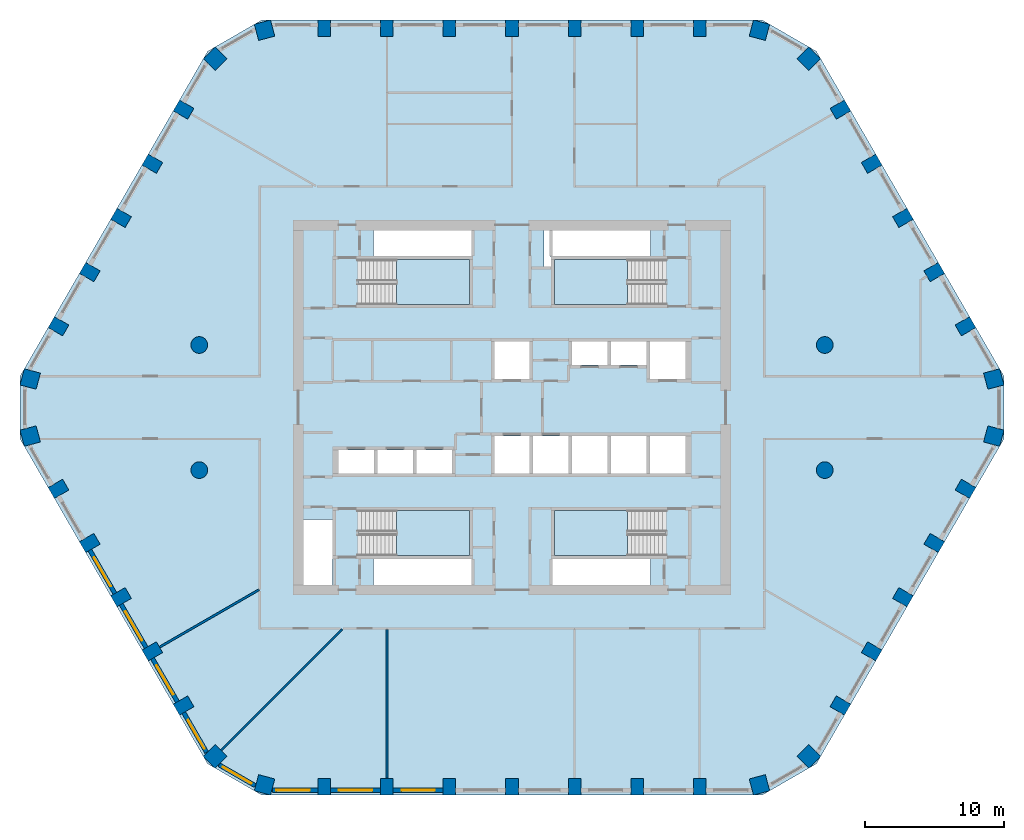
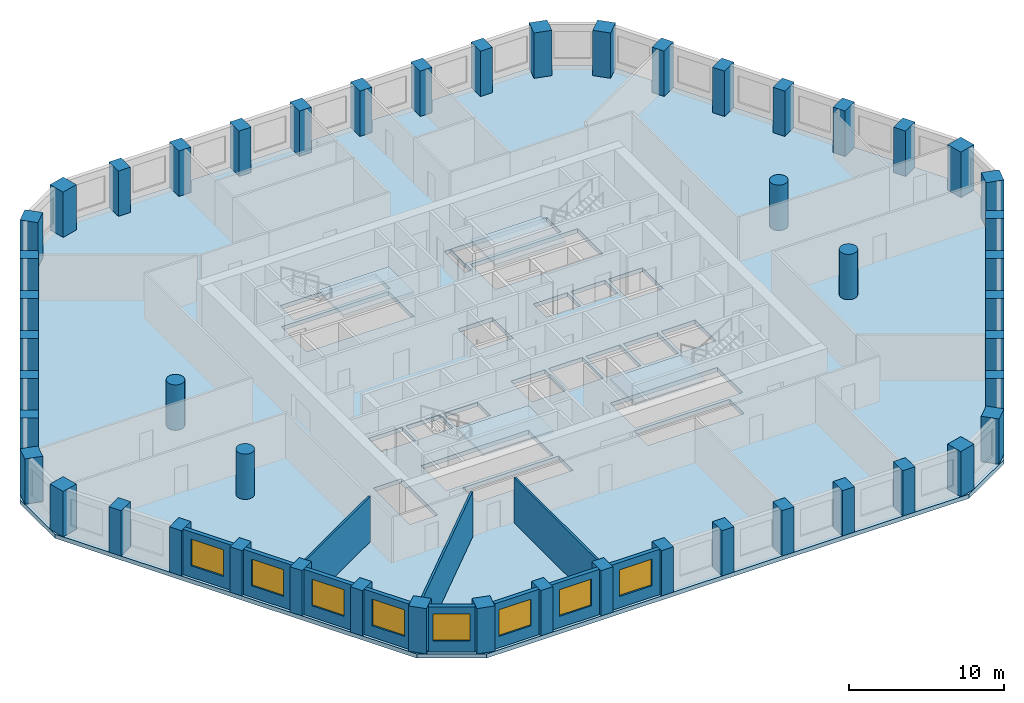
# One storey, part 1 of 9: 50 columns, 11 walls, 8 windows, 5 slabs, 8 openings, 4 elements without a shape of their own.
"""IFC4 building model written with IfcOpenShell, lengths in metres."""

from ifc_helpers import new_model, si_unit, direction, frame, frame_2d, origin, origin_2d, place, context, subcontext, project, spatial, polyline, rectangle, circle, outline, extrude, material, layer, layer_set, material_profile, profile_set, type_object, element, fill, aggregate, save


model = new_model("IFC4")

# Units and contexts
model_context = context("Model", 3, precision=1e-05, world=origin(), true_north=direction((0.0, 1.0)))
body_context = subcontext(model_context, "Body", "Model", "MODEL_VIEW")
ifc_project = project(units=[si_unit("LENGTHUNIT", "METRE"), si_unit("AREAUNIT", "SQUARE_METRE"), si_unit("VOLUMEUNIT", "CUBIC_METRE"), si_unit("PLANEANGLEUNIT", "RADIAN"), si_unit("MASSUNIT", "GRAM", prefix="KILO")], contexts=[model_context])

# Site, building, storey
site_placement = place(None, origin())
site = spatial("IfcSite", under=ifc_project, at=site_placement, CompositionType="ELEMENT")
building_placement = place(site_placement, origin())
building = spatial("IfcBuilding", under=site, at=building_placement, Name="Dhurran Vertical Campus", CompositionType="ELEMENT")
storey_placement = place(building_placement, frame((0.0, 0.0, 163.800048828125)))
storey = spatial("IfcBuildingStorey", under=building, at=storey_placement, Name="L40", CompositionType="ELEMENT", Elevation=163.800048828125)

# Columns
ifc_material_1 = material(Name="Concrete C60/75", Category="concrete")
ifc_material_profile_1 = material_profile(ifc_material_1, rectangle(XDim=1.199951171875, YDim=1.199951171875, at=origin_2d()), Name="RC 1200x1200")
ifc_profile_set_1 = profile_set([ifc_material_profile_1], Name="Concrete C60/75")
column_type_1 = type_object("IfcColumnType", Name="FR COL RC 1200x1200 C60/75", PredefinedType="COLUMN", material=ifc_profile_set_1)
for number, where, z_axis, x_axis, name in (
    (1, (-17.802978515625, -27.147705078125, 0.0), (0.0, 0.0, 1.0), (0.965925826289, -0.258819045103, 0.0), "Perimeter pier PP3.00"),
    (2, (17.802978515625, -27.147705078125, 0.0), (0.0, 0.0, 1.0), (0.965925826289, 0.258819045103, 0.0), "Perimeter pier PP3.08"),
    (3, (21.359130859375, -25.0947265625, 0.0), (0.0, 0.0, 1.0), (0.707106781187, 0.707106781187, 0.0), "Perimeter pier PP3.09"),
    (4, (34.662353515625, -2.052978515625, 0.0), (0.0, 0.0, 1.0), (0.258819045103, 0.965925826289, 0.0), "Perimeter pier PP3.15"),
    (5, (34.662353515625, 2.052978515625, 0.0), (0.0, 0.0, 1.0), (-0.258819045103, 0.965925826289, 0.0), "Perimeter pier PP3.16"),
    (6, (21.359130859375, 25.0947265625, 0.0), (0.0, 0.0, 1.0), (-0.707106781187, 0.707106781187, 0.0), "Perimeter pier PP3.22"),
    (7, (17.802978515625, 27.147705078125, 0.0), (0.0, 0.0, 1.0), (-0.965925826289, 0.258819045103, 0.0), "Perimeter pier PP3.23"),
    (8, (-17.802978515625, 27.147705078125, 0.0), (0.0, 0.0, 1.0), (-0.965925826289, -0.258819045103, 0.0), "Perimeter pier PP3.31"),
    (9, (-21.359130859375, 25.0947265625, 0.0), (0.0, 0.0, 1.0), (-0.707106781187, -0.707106781187, 0.0), "Perimeter pier PP3.32"),
    (10, (-34.662353515625, 2.052978515625, 0.0), (0.0, 0.0, 1.0), (-0.258819045103, -0.965925826289, 0.0), "Perimeter pier PP3.38"),
    (11, (-34.662353515625, -2.052978515625, 0.0), (0.0, 0.0, 1.0), (0.258819045103, -0.965925826289, 0.0), "Perimeter pier PP3.39"),
    (12, (-21.359130859375, -25.0947265625, 0.0), (0.0, 0.0, 1.0), (0.707106781187, -0.707106781187, 0.0), "Perimeter pier PP3.45"),
):
    element("IfcColumn", number, at=place(storey_placement, frame(where, z_axis=z_axis, x_axis=x_axis)), inside=storey, type_object=column_type_1, Name=name, PredefinedType="COLUMN", context=body_context, shape_type="SweptSolid", body=[
        extrude(rectangle(XDim=1.199951171875, YDim=1.199951171875, at=origin_2d()), origin(), (0.0, 0.0, 1.0), 3.574951171875),
    ])
ifc_material_2 = material(Name="Concrete C60/75", Category="concrete")
ifc_material_profile_2 = material_profile(ifc_material_2, rectangle(XDim=0.89990234375, YDim=1.199951171875, at=origin_2d()), Name="RC 900x1200")
ifc_profile_set_2 = profile_set([ifc_material_profile_2], Name="Concrete C60/75")
column_type_2 = type_object("IfcColumnType", Name="FR COL RC 900x1200 C60/75", PredefinedType="COLUMN", material=ifc_profile_set_2)
for number, where, z_axis, x_axis, name in (
    (13, (-13.5, -27.28271484375, 0.0), (0.0, 0.0, 1.0), (1.0, 0.0, 0.0), "Perimeter pier PP3.01"),
    (14, (-9.0, -27.28271484375, 0.0), (0.0, 0.0, 1.0), (1.0, 0.0, 0.0), "Perimeter pier PP3.02"),
    (15, (-4.5, -27.28271484375, 0.0), (0.0, 0.0, 1.0), (1.0, 0.0, 0.0), "Perimeter pier PP3.03"),
    (16, (0.0, -27.28271484375, 0.0), (0.0, 0.0, 1.0), (1.0, 0.0, 0.0), "Perimeter pier PP3.04"),
    (17, (4.5, -27.28271484375, 0.0), (0.0, 0.0, 1.0), (1.0, 0.0, 0.0), "Perimeter pier PP3.05"),
    (18, (9.0, -27.28271484375, 0.0), (0.0, 0.0, 1.0), (1.0, 0.0, 0.0), "Perimeter pier PP3.06"),
    (19, (13.5, -27.28271484375, 0.0), (0.0, 0.0, 1.0), (1.0, 0.0, 0.0), "Perimeter pier PP3.07"),
    (20, (23.62744140625, -21.435546875, 0.0), (0.0, 0.0, 1.0), (0.5, 0.866025403784, 0.0), "Perimeter pier PP3.10"),
    (21, (25.87744140625, -17.53857421875, 0.0), (0.0, 0.0, 1.0), (0.5, 0.866025403784, 0.0), "Perimeter pier PP3.11"),
    (22, (28.12744140625, -13.641357421875, 0.0), (0.0, 0.0, 1.0), (0.5, 0.866025403784, 0.0), "Perimeter pier PP3.12"),
    (23, (30.37744140625, -9.744140625, 0.0), (0.0, 0.0, 1.0), (0.5, 0.866025403784, 0.0), "Perimeter pier PP3.13"),
    (24, (32.62744140625, -5.84716796875, 0.0), (0.0, 0.0, 1.0), (0.5, 0.866025403784, 0.0), "Perimeter pier PP3.14"),
    (25, (32.62744140625, 5.84716796875, 0.0), (0.0, 0.0, 1.0), (-0.5, 0.866025403784, 0.0), "Perimeter pier PP3.17"),
    (26, (30.37744140625, 9.744140625, 0.0), (0.0, 0.0, 1.0), (-0.5, 0.866025403784, 0.0), "Perimeter pier PP3.18"),
    (27, (28.12744140625, 13.641357421875, 0.0), (0.0, 0.0, 1.0), (-0.5, 0.866025403784, 0.0), "Perimeter pier PP3.19"),
    (28, (25.87744140625, 17.53857421875, 0.0), (0.0, 0.0, 1.0), (-0.5, 0.866025403784, 0.0), "Perimeter pier PP3.20"),
    (29, (23.62744140625, 21.435546875, 0.0), (0.0, 0.0, 1.0), (-0.5, 0.866025403784, 0.0), "Perimeter pier PP3.21"),
    (30, (13.5, 27.28271484375, 0.0), (0.0, 0.0, 1.0), (-1.0, 0.0, 0.0), "Perimeter pier PP3.24"),
    (31, (9.0, 27.28271484375, 0.0), (0.0, 0.0, 1.0), (-1.0, 0.0, 0.0), "Perimeter pier PP3.25"),
    (32, (4.5, 27.28271484375, 0.0), (0.0, 0.0, 1.0), (-1.0, 0.0, 0.0), "Perimeter pier PP3.26"),
    (33, (0.0, 27.28271484375, 0.0), (0.0, 0.0, 1.0), (-1.0, 0.0, 0.0), "Perimeter pier PP3.27"),
    (34, (-4.5, 27.28271484375, 0.0), (0.0, 0.0, 1.0), (-1.0, 0.0, 0.0), "Perimeter pier PP3.28"),
    (35, (-9.0, 27.28271484375, 0.0), (0.0, 0.0, 1.0), (-1.0, 0.0, 0.0), "Perimeter pier PP3.29"),
    (36, (-13.5, 27.28271484375, 0.0), (0.0, 0.0, 1.0), (-1.0, 0.0, 0.0), "Perimeter pier PP3.30"),
    (37, (-23.62744140625, 21.435546875, 0.0), (0.0, 0.0, 1.0), (-0.5, -0.866025403784, 0.0), "Perimeter pier PP3.33"),
    (38, (-25.87744140625, 17.53857421875, 0.0), (0.0, 0.0, 1.0), (-0.5, -0.866025403784, 0.0), "Perimeter pier PP3.34"),
    (39, (-28.12744140625, 13.641357421875, 0.0), (0.0, 0.0, 1.0), (-0.5, -0.866025403784, 0.0), "Perimeter pier PP3.35"),
    (40, (-30.37744140625, 9.744140625, 0.0), (0.0, 0.0, 1.0), (-0.5, -0.866025403784, 0.0), "Perimeter pier PP3.36"),
    (41, (-32.62744140625, 5.84716796875, 0.0), (0.0, 0.0, 1.0), (-0.5, -0.866025403784, 0.0), "Perimeter pier PP3.37"),
    (42, (-32.62744140625, -5.84716796875, 0.0), (0.0, 0.0, 1.0), (0.5, -0.866025403784, 0.0), "Perimeter pier PP3.40"),
    (43, (-30.37744140625, -9.744140625, 0.0), (0.0, 0.0, 1.0), (0.5, -0.866025403784, 0.0), "Perimeter pier PP3.41"),
    (44, (-28.12744140625, -13.641357421875, 0.0), (0.0, 0.0, 1.0), (0.5, -0.866025403784, 0.0), "Perimeter pier PP3.42"),
    (45, (-25.87744140625, -17.53857421875, 0.0), (0.0, 0.0, 1.0), (0.5, -0.866025403784, 0.0), "Perimeter pier PP3.43"),
    (46, (-23.62744140625, -21.435546875, 0.0), (0.0, 0.0, 1.0), (0.5, -0.866025403784, 0.0), "Perimeter pier PP3.44"),
):
    element("IfcColumn", number, at=place(storey_placement, frame(where, z_axis=z_axis, x_axis=x_axis)), inside=storey, type_object=column_type_2, Name=name, PredefinedType="COLUMN", context=body_context, shape_type="SweptSolid", body=[
        extrude(rectangle(XDim=0.89990234375, YDim=1.199951171875, at=origin_2d()), origin(), (0.0, 0.0, 1.0), 3.574951171875),
    ])
ifc_material_3 = material(Name="Concrete C60/75", Category="concrete")
ifc_material_profile_3 = material_profile(ifc_material_3, circle(Radius=0.60009765625, at=origin_2d()), Name="RCC D1200")
ifc_profile_set_3 = profile_set([ifc_material_profile_3], Name="Concrete C60/75")
column_type_3 = type_object("IfcColumnType", Name="FR COL RCC D1200 C60/75", PredefinedType="COLUMN", material=ifc_profile_set_3)
for number, where, z_axis, x_axis, name in (
    (47, (-22.5, -4.5, 0.0), (0.0, 0.0, 1.0), (1.0, 0.0, 0.0), "Inner column IC3-D5"),
    (48, (-22.5, 4.5, 0.0), (0.0, 0.0, 1.0), (1.0, 0.0, 0.0), "Inner column IC3-D6"),
    (49, (22.5, -4.5, 0.0), (0.0, 0.0, 1.0), (1.0, 0.0, 0.0), "Inner column IC3-J5"),
    (50, (22.5, 4.5, 0.0), (0.0, 0.0, 1.0), (1.0, 0.0, 0.0), "Inner column IC3-J6"),
):
    element("IfcColumn", number, at=place(storey_placement, frame(where, z_axis=z_axis, x_axis=x_axis)), inside=storey, type_object=column_type_3, Name=name, PredefinedType="COLUMN", context=body_context, shape_type="SweptSolid", body=[
        extrude(circle(Radius=0.60009765625, at=origin_2d()), origin(), (0.0, 0.0, 1.0), 3.574951171875),
    ])

# Slab
ifc_material_4 = material(Name="Concrete C40/50", Category="concrete")
ifc_layer_1 = layer(ifc_material_4, 0.324951171875)
ifc_layer_set_1 = layer_set([ifc_layer_1], Name="Concrete C40/50")
slab_type_1 = type_object("IfcSlabType", Name="FR POST-TENSIONED FLAT SLAB 325", PredefinedType="FLOOR", material=ifc_layer_set_1)
slab_1_placement = place(storey_placement, frame((0.0, 0.0, -0.324951171875)))
element("IfcSlab", 51, at=slab_1_placement, inside=storey, type_object=slab_type_1, Name="Floor slab L40", PredefinedType="FLOOR", context=body_context, shape_type="SweptSolid", body=[
    extrude(outline(polyline([(-18.0, -27.8828125), (18.0, -27.8828125), (21.897216796875, -25.6328125), (35.397216796875, -2.25), (35.397216796875, 2.25), (21.897216796875, 25.6328125), (18.0, 27.8828125), (-18.0, 27.8828125), (-21.897216796875, 25.6328125), (-35.397216796875, 2.25), (-35.397216796875, -2.25), (-21.897216796875, -25.6328125), (-18.0, -27.8828125)]), holes=[polyline([(-1.27490234375, 2.050048828125), (1.27490234375, 2.050048828125), (1.27490234375, 4.75), (-1.27490234375, 4.75), (-1.27490234375, 2.050048828125)]), polyline([(9.925048828125, 2.050048828125), (12.47509765625, 2.050048828125), (12.47509765625, 4.75), (9.925048828125, 4.75), (9.925048828125, 2.050048828125)]), polyline([(-1.27490234375, -4.75), (1.27490234375, -4.75), (1.27490234375, -2.050048828125), (-1.27490234375, -2.050048828125), (-1.27490234375, -4.75)]), polyline([(1.52490234375, -4.75), (4.074951171875, -4.75), (4.074951171875, -2.050048828125), (1.52490234375, -2.050048828125), (1.52490234375, -4.75)]), polyline([(4.324951171875, -4.75), (6.875, -4.75), (6.875, -2.050048828125), (4.324951171875, -2.050048828125), (4.324951171875, -4.75)]), polyline([(7.125, -4.75), (9.675048828125, -4.75), (9.675048828125, -2.050048828125), (7.125, -2.050048828125), (7.125, -4.75)]), polyline([(9.925048828125, -4.75), (12.47509765625, -4.75), (12.47509765625, -2.050048828125), (9.925048828125, -2.050048828125), (9.925048828125, -4.75)]), polyline([(4.324951171875, 3.050048828125), (6.875, 3.050048828125), (6.875, 4.75), (4.324951171875, 4.75), (4.324951171875, 3.050048828125)]), polyline([(7.125, 3.050048828125), (9.675048828125, 3.050048828125), (9.675048828125, 4.75), (7.125, 4.75), (7.125, 3.050048828125)]), polyline([(-12.47509765625, -4.75), (-9.925048828125, -4.75), (-9.925048828125, -3.050048828125), (-12.47509765625, -3.050048828125), (-12.47509765625, -4.75)]), polyline([(-9.675048828125, -4.75), (-7.125, -4.75), (-7.125, -3.050048828125), (-9.675048828125, -3.050048828125), (-9.675048828125, -4.75)]), polyline([(-6.875, -4.75), (-4.324951171875, -4.75), (-4.324951171875, -3.050048828125), (-6.875, -3.050048828125), (-6.875, -4.75)]), polyline([(-11.050048828125, 7.39990234375), (-3.050048828125, 7.39990234375), (-3.050048828125, 10.64990234375), (-11.050048828125, 10.64990234375), (-11.050048828125, 7.39990234375)]), polyline([(3.050048828125, 7.39990234375), (11.050048828125, 7.39990234375), (11.050048828125, 10.64990234375), (3.050048828125, 10.64990234375), (3.050048828125, 7.39990234375)]), polyline([(-11.050048828125, -10.64990234375), (-3.050048828125, -10.64990234375), (-3.050048828125, -7.39990234375), (-11.050048828125, -7.39990234375), (-11.050048828125, -10.64990234375)]), polyline([(3.050048828125, -10.64990234375), (11.050048828125, -10.64990234375), (11.050048828125, -7.39990234375), (3.050048828125, -7.39990234375), (3.050048828125, -10.64990234375)]), polyline([(-9.949951171875, 10.89990234375), (-9.949951171875, 12.75), (-2.800048828125, 12.75), (-2.800048828125, 10.89990234375), (-9.949951171875, 10.89990234375)]), polyline([(9.949951171875, 12.75), (9.949951171875, 10.89990234375), (2.800048828125, 10.89990234375), (2.800048828125, 12.75), (9.949951171875, 12.75)]), polyline([(-9.949951171875, -12.75), (-9.949951171875, -10.89990234375), (-2.800048828125, -10.89990234375), (-2.800048828125, -12.75), (-9.949951171875, -12.75)]), polyline([(9.949951171875, -10.89990234375), (9.949951171875, -12.75), (2.800048828125, -12.75), (2.800048828125, -10.89990234375), (9.949951171875, -10.89990234375)]), polyline([(2.300048828125, 10.050048828125), (2.300048828125, 12.75), (2.75, 12.75), (2.75, 10.85009765625), (2.800048828125, 10.85009765625), (2.800048828125, 10.050048828125), (2.300048828125, 10.050048828125)]), polyline([(-15.0, -8.050048828125), (-12.89990234375, -8.050048828125), (-12.89990234375, -12.75), (-15.0, -12.75), (-15.0, -8.050048828125)])]), origin(), (0.0, 0.0, 1.0), 0.324951171875),
])

# Stair, slab
ifc_material_5 = material(Name="Concrete C40/50", Category="concrete")
stair_type = type_object("IfcStairType", Name="co-ST-CORE", PredefinedType="HALF_TURN_STAIR", material=ifc_material_5)
stair_1_placement = place(storey_placement, origin())
stair_1 = element("IfcStair", 52, at=stair_1_placement, inside=storey, type_object=stair_type, Name="L40 Protected exit stair ST1", PredefinedType="HALF_TURN_STAIR")
ifc_material_6 = material(Name="Concrete C40/50", Category="concrete")
ifc_layer_2 = layer(ifc_material_6, 0.199951171875)
ifc_layer_set_2 = layer_set([ifc_layer_2], Name="Concrete C40/50")
slab_type_2 = type_object("IfcSlabType", Name="co-SL-LANDING", PredefinedType="LANDING", material=ifc_layer_set_2)
slab_2_placement = place(storey_placement, frame((0.0, 0.0, 1.75)))
slab_2 = element("IfcSlab", 53, at=slab_2_placement, type_object=slab_type_2, Name="ST1 landing 1", PredefinedType="LANDING", context=body_context, shape_type="SweptSolid", body=[
    extrude(outline(polyline([(-8.300048828125, 7.39990234375), (-3.050048828125, 7.39990234375), (-3.050048828125, 10.64990234375), (-8.300048828125, 10.64990234375), (-8.300048828125, 7.39990234375)])), origin(), (0.0, 0.0, 1.0), 0.199951171875),
])
aggregate(stair_1, [slab_2])

stair_2_placement = place(storey_placement, origin())
stair_2 = element("IfcStair", 54, at=stair_2_placement, inside=storey, type_object=stair_type, Name="L40 Protected exit stair ST2", PredefinedType="HALF_TURN_STAIR")
slab_3_placement = place(storey_placement, frame((0.0, 0.0, 1.75)))
slab_3 = element("IfcSlab", 55, at=slab_3_placement, type_object=slab_type_2, Name="ST2 landing 1", PredefinedType="LANDING", context=body_context, shape_type="SweptSolid", body=[
    extrude(outline(polyline([(8.300048828125, 10.64990234375), (3.050048828125, 10.64990234375), (3.050048828125, 7.39990234375), (8.300048828125, 7.39990234375), (8.300048828125, 10.64990234375)])), origin(), (0.0, 0.0, 1.0), 0.199951171875),
])
aggregate(stair_2, [slab_3])

stair_3_placement = place(storey_placement, origin())
stair_3 = element("IfcStair", 56, at=stair_3_placement, inside=storey, type_object=stair_type, Name="L40 Protected exit stair ST3", PredefinedType="HALF_TURN_STAIR")
slab_4_placement = place(storey_placement, frame((0.0, 0.0, 1.75)))
slab_4 = element("IfcSlab", 57, at=slab_4_placement, type_object=slab_type_2, Name="ST3 landing 1", PredefinedType="LANDING", context=body_context, shape_type="SweptSolid", body=[
    extrude(outline(polyline([(-8.300048828125, -10.64990234375), (-3.050048828125, -10.64990234375), (-3.050048828125, -7.39990234375), (-8.300048828125, -7.39990234375), (-8.300048828125, -10.64990234375)])), origin(), (0.0, 0.0, 1.0), 0.199951171875),
])
aggregate(stair_3, [slab_4])

stair_4_placement = place(storey_placement, origin())
stair_4 = element("IfcStair", 58, at=stair_4_placement, inside=storey, type_object=stair_type, Name="L40 Protected exit stair ST4", PredefinedType="HALF_TURN_STAIR")
slab_5_placement = place(storey_placement, frame((0.0, 0.0, 1.75)))
slab_5 = element("IfcSlab", 59, at=slab_5_placement, type_object=slab_type_2, Name="ST4 landing 1", PredefinedType="LANDING", context=body_context, shape_type="SweptSolid", body=[
    extrude(outline(polyline([(8.300048828125, -7.39990234375), (3.050048828125, -7.39990234375), (3.050048828125, -10.64990234375), (8.300048828125, -10.64990234375), (8.300048828125, -7.39990234375)])), origin(), (0.0, 0.0, 1.0), 0.199951171875),
])
aggregate(stair_4, [slab_5])

# Wall, opening, window
ifc_material_7 = material(Name="Precast concrete C50/60", Category="concrete")
ifc_layer_3 = layer(ifc_material_7, 0.300048828125)
ifc_layer_set_3 = layer_set([ifc_layer_3], Name="Precast concrete C50/60")
wall_type_1 = type_object("IfcWallType", Name="Precast spandrel wall 300", PredefinedType="SOLIDWALL", material=ifc_layer_set_3)
wall_1_placement = place(storey_placement, frame((-17.24462890625, -27.53271484375, 0.0), z_axis=(0.0, 0.0, 1.0), x_axis=(1.0, 0.0, 0.0)))
wall_1 = element("IfcWall", 60, at=wall_1_placement, inside=storey, type_object=wall_type_1, Name="EW1 L40.00", PredefinedType="SOLIDWALL", context=body_context, shape_type="SweptSolid", body=[
    extrude(rectangle(XDim=3.294189453125, YDim=0.300048828125, at=frame_2d((1.64697265625, 0.0))), origin(), (0.0, 0.0, 1.0), 3.574951171875),
])
opening_1_placement = place(wall_1_placement, frame((0.294677734375, 0.0, 0.89990234375)))
opening_1 = element("IfcOpeningElement", 61, at=opening_1_placement, cuts=wall_1, Name="Opening WT1", PredefinedType="OPENING", context=body_context, shape_type="SweptSolid", body=[
    extrude(rectangle(XDim=2.39990234375, YDim=2.10009765625, at=frame_2d((1.199951171875, 1.050048828125))), frame((0.0, 0.159912109375, 0.0), z_axis=(0.0, -1.0, 0.0), x_axis=(1.0, 0.0, 0.0)), (0.0, 0.0, 1.0), 0.320068359375),
])
ifc_material_8 = material(Name="Aluminium frame with solar-control glass", Category="aluminium")
window_type = type_object("IfcWindowType", Name="Punched window 2400 x 2100", PartitioningType="SINGLE_PANEL", PredefinedType="WINDOW", material=ifc_material_8)
window_1_placement = place(opening_1_placement, origin())
window_1 = element("IfcWindow", 62, at=window_1_placement, inside=storey, type_object=window_type, Name="WT1 L40.00", OverallHeight=2.10009765625, OverallWidth=2.39990234375, PartitioningType="SINGLE_PANEL", PredefinedType="WINDOW", context=body_context, shape_type="SweptSolid", body=[
    extrude(rectangle(XDim=2.39990234375, YDim=2.10009765625, at=frame_2d((1.199951171875, 1.050048828125))), frame((0.0, 0.030029296875, 0.0), z_axis=(0.0, -1.0, 0.0), x_axis=(1.0, 0.0, 0.0)), (0.0, 0.0, 1.0), 0.06005859375),
])
fill(opening_1, window_1)

wall_2_placement = place(storey_placement, frame((-13.049560546875, -27.53271484375, 0.0), z_axis=(0.0, 0.0, 1.0), x_axis=(1.0, 0.0, 0.0)))
wall_2 = element("IfcWall", 63, at=wall_2_placement, inside=storey, type_object=wall_type_1, Name="EW1 L40.01", PredefinedType="SOLIDWALL", context=body_context, shape_type="SweptSolid", body=[
    extrude(rectangle(XDim=3.59912109375, YDim=0.300048828125, at=frame_2d((1.799560546875, 0.0))), origin(), (0.0, 0.0, 1.0), 3.574951171875),
])
opening_2_placement = place(wall_2_placement, frame((0.599609375, 0.0, 0.89990234375)))
opening_2 = element("IfcOpeningElement", 64, at=opening_2_placement, cuts=wall_2, Name="Opening WT1", PredefinedType="OPENING", context=body_context, shape_type="SweptSolid", body=[
    extrude(rectangle(XDim=2.39990234375, YDim=2.10009765625, at=frame_2d((1.199951171875, 1.050048828125))), frame((0.0, 0.159912109375, 0.0), z_axis=(0.0, -1.0, 0.0), x_axis=(1.0, 0.0, 0.0)), (0.0, 0.0, 1.0), 0.320068359375),
])
window_2_placement = place(opening_2_placement, origin())
window_2 = element("IfcWindow", 65, at=window_2_placement, inside=storey, type_object=window_type, Name="WT1 L40.01", OverallHeight=2.10009765625, OverallWidth=2.39990234375, PartitioningType="SINGLE_PANEL", PredefinedType="WINDOW", context=body_context, shape_type="SweptSolid", body=[
    extrude(rectangle(XDim=2.39990234375, YDim=2.10009765625, at=frame_2d((1.199951171875, 1.050048828125))), frame((0.0, 0.030029296875, 0.0), z_axis=(0.0, -1.0, 0.0), x_axis=(1.0, 0.0, 0.0)), (0.0, 0.0, 1.0), 0.06005859375),
])
fill(opening_2, window_2)

wall_3_placement = place(storey_placement, frame((-8.549560546875, -27.53271484375, 0.0), z_axis=(0.0, 0.0, 1.0), x_axis=(1.0, 0.0, 0.0)))
wall_3 = element("IfcWall", 66, at=wall_3_placement, inside=storey, type_object=wall_type_1, Name="EW1 L40.02", PredefinedType="SOLIDWALL", context=body_context, shape_type="SweptSolid", body=[
    extrude(rectangle(XDim=3.59912109375, YDim=0.300048828125, at=frame_2d((1.799560546875, 0.0))), origin(), (0.0, 0.0, 1.0), 3.574951171875),
])
opening_3_placement = place(wall_3_placement, frame((0.599609375, 0.0, 0.89990234375)))
opening_3 = element("IfcOpeningElement", 67, at=opening_3_placement, cuts=wall_3, Name="Opening WT1", PredefinedType="OPENING", context=body_context, shape_type="SweptSolid", body=[
    extrude(rectangle(XDim=2.39990234375, YDim=2.10009765625, at=frame_2d((1.199951171875, 1.050048828125))), frame((0.0, 0.159912109375, 0.0), z_axis=(0.0, -1.0, 0.0), x_axis=(1.0, 0.0, 0.0)), (0.0, 0.0, 1.0), 0.320068359375),
])
window_3_placement = place(opening_3_placement, origin())
window_3 = element("IfcWindow", 68, at=window_3_placement, inside=storey, type_object=window_type, Name="WT1 L40.02", OverallHeight=2.10009765625, OverallWidth=2.39990234375, PartitioningType="SINGLE_PANEL", PredefinedType="WINDOW", context=body_context, shape_type="SweptSolid", body=[
    extrude(rectangle(XDim=2.39990234375, YDim=2.10009765625, at=frame_2d((1.199951171875, 1.050048828125))), frame((0.0, 0.030029296875, 0.0), z_axis=(0.0, -1.0, 0.0), x_axis=(1.0, 0.0, 0.0)), (0.0, 0.0, 1.0), 0.06005859375),
])
fill(opening_3, window_3)

wall_4_placement = place(storey_placement, frame((-30.368896484375, -10.259521484375, 0.0), z_axis=(0.0, 0.0, 1.0), x_axis=(0.500027802648, -0.866009351323, 0.0)))
wall_4 = element("IfcWall", 69, at=wall_4_placement, inside=storey, type_object=wall_type_1, Name="EW1 L40.41", PredefinedType="SOLIDWALL", context=body_context, shape_type="SweptSolid", body=[
    extrude(rectangle(XDim=3.598876953125, YDim=0.300048828125, at=frame_2d((1.79931640625, 0.0))), origin(), (0.0, 0.0, 1.0), 3.574951171875),
])
opening_4_placement = place(wall_4_placement, frame((0.599609375, 0.0, 0.89990234375)))
opening_4 = element("IfcOpeningElement", 70, at=opening_4_placement, cuts=wall_4, Name="Opening WT1", PredefinedType="OPENING", context=body_context, shape_type="SweptSolid", body=[
    extrude(rectangle(XDim=2.39990234375, YDim=2.10009765625, at=frame_2d((1.199951171875, 1.050048828125))), frame((0.0, 0.159912109375, 0.0), z_axis=(0.0, -1.0, 0.0), x_axis=(1.0, 0.0, 0.0)), (0.0, 0.0, 1.0), 0.320068359375),
])
window_4_placement = place(opening_4_placement, origin())
window_4 = element("IfcWindow", 71, at=window_4_placement, inside=storey, type_object=window_type, Name="WT1 L40.41", OverallHeight=2.10009765625, OverallWidth=2.39990234375, PartitioningType="SINGLE_PANEL", PredefinedType="WINDOW", context=body_context, shape_type="SweptSolid", body=[
    extrude(rectangle(XDim=2.39990234375, YDim=2.10009765625, at=frame_2d((1.199951171875, 1.050048828125))), frame((0.0, 0.030029296875, 0.0), z_axis=(0.0, -1.0, 0.0), x_axis=(1.0, 0.0, 0.0)), (0.0, 0.0, 1.0), 0.06005859375),
])
fill(opening_4, window_4)

wall_5_placement = place(storey_placement, frame((-28.118896484375, -14.156494140625, 0.0), z_axis=(0.0, 0.0, 1.0), x_axis=(0.500027802648, -0.866009351323, 0.0)))
wall_5 = element("IfcWall", 72, at=wall_5_placement, inside=storey, type_object=wall_type_1, Name="EW1 L40.42", PredefinedType="SOLIDWALL", context=body_context, shape_type="SweptSolid", body=[
    extrude(rectangle(XDim=3.598876953125, YDim=0.300048828125, at=frame_2d((1.79931640625, 0.0))), origin(), (0.0, 0.0, 1.0), 3.574951171875),
])
opening_5_placement = place(wall_5_placement, frame((0.599609375, 0.0, 0.89990234375)))
opening_5 = element("IfcOpeningElement", 73, at=opening_5_placement, cuts=wall_5, Name="Opening WT1", PredefinedType="OPENING", context=body_context, shape_type="SweptSolid", body=[
    extrude(rectangle(XDim=2.39990234375, YDim=2.10009765625, at=frame_2d((1.199951171875, 1.050048828125))), frame((0.0, 0.159912109375, 0.0), z_axis=(0.0, -1.0, 0.0), x_axis=(1.0, 0.0, 0.0)), (0.0, 0.0, 1.0), 0.320068359375),
])
window_5_placement = place(opening_5_placement, origin())
window_5 = element("IfcWindow", 74, at=window_5_placement, inside=storey, type_object=window_type, Name="WT1 L40.42", OverallHeight=2.10009765625, OverallWidth=2.39990234375, PartitioningType="SINGLE_PANEL", PredefinedType="WINDOW", context=body_context, shape_type="SweptSolid", body=[
    extrude(rectangle(XDim=2.39990234375, YDim=2.10009765625, at=frame_2d((1.199951171875, 1.050048828125))), frame((0.0, 0.030029296875, 0.0), z_axis=(0.0, -1.0, 0.0), x_axis=(1.0, 0.0, 0.0)), (0.0, 0.0, 1.0), 0.06005859375),
])
fill(opening_5, window_5)

wall_6_placement = place(storey_placement, frame((-25.868896484375, -18.0537109375, 0.0), z_axis=(0.0, 0.0, 1.0), x_axis=(0.500027802648, -0.866009351323, 0.0)))
wall_6 = element("IfcWall", 75, at=wall_6_placement, inside=storey, type_object=wall_type_1, Name="EW1 L40.43", PredefinedType="SOLIDWALL", context=body_context, shape_type="SweptSolid", body=[
    extrude(rectangle(XDim=3.598876953125, YDim=0.300048828125, at=frame_2d((1.79931640625, 0.0))), origin(), (0.0, 0.0, 1.0), 3.574951171875),
])
opening_6_placement = place(wall_6_placement, frame((0.599609375, 0.0, 0.89990234375)))
opening_6 = element("IfcOpeningElement", 76, at=opening_6_placement, cuts=wall_6, Name="Opening WT1", PredefinedType="OPENING", context=body_context, shape_type="SweptSolid", body=[
    extrude(rectangle(XDim=2.39990234375, YDim=2.10009765625, at=frame_2d((1.199951171875, 1.050048828125))), frame((0.0, 0.159912109375, 0.0), z_axis=(0.0, -1.0, 0.0), x_axis=(1.0, 0.0, 0.0)), (0.0, 0.0, 1.0), 0.320068359375),
])
window_6_placement = place(opening_6_placement, origin())
window_6 = element("IfcWindow", 77, at=window_6_placement, inside=storey, type_object=window_type, Name="WT1 L40.43", OverallHeight=2.10009765625, OverallWidth=2.39990234375, PartitioningType="SINGLE_PANEL", PredefinedType="WINDOW", context=body_context, shape_type="SweptSolid", body=[
    extrude(rectangle(XDim=2.39990234375, YDim=2.10009765625, at=frame_2d((1.199951171875, 1.050048828125))), frame((0.0, 0.030029296875, 0.0), z_axis=(0.0, -1.0, 0.0), x_axis=(1.0, 0.0, 0.0)), (0.0, 0.0, 1.0), 0.06005859375),
])
fill(opening_6, window_6)

wall_7_placement = place(storey_placement, frame((-23.618896484375, -21.95068359375, 0.0), z_axis=(0.0, 0.0, 1.0), x_axis=(0.500036802197, -0.866004154983, 0.0)))
wall_7 = element("IfcWall", 78, at=wall_7_placement, inside=storey, type_object=wall_type_1, Name="EW1 L40.44", PredefinedType="SOLIDWALL", context=body_context, shape_type="SweptSolid", body=[
    extrude(rectangle(XDim=3.294189453125, YDim=0.300048828125, at=frame_2d((1.64697265625, 0.0))), origin(), (0.0, 0.0, 1.0), 3.574951171875),
])
opening_7_placement = place(wall_7_placement, frame((0.599609375, 0.0, 0.89990234375)))
opening_7 = element("IfcOpeningElement", 79, at=opening_7_placement, cuts=wall_7, Name="Opening WT1", PredefinedType="OPENING", context=body_context, shape_type="SweptSolid", body=[
    extrude(rectangle(XDim=2.39990234375, YDim=2.10009765625, at=frame_2d((1.199951171875, 1.050048828125))), frame((0.0, 0.159912109375, 0.0), z_axis=(0.0, -1.0, 0.0), x_axis=(1.0, 0.0, 0.0)), (0.0, 0.0, 1.0), 0.320068359375),
])
window_7_placement = place(opening_7_placement, origin())
window_7 = element("IfcWindow", 80, at=window_7_placement, inside=storey, type_object=window_type, Name="WT1 L40.44", OverallHeight=2.10009765625, OverallWidth=2.39990234375, PartitioningType="SINGLE_PANEL", PredefinedType="WINDOW", context=body_context, shape_type="SweptSolid", body=[
    extrude(rectangle(XDim=2.39990234375, YDim=2.10009765625, at=frame_2d((1.199951171875, 1.050048828125))), frame((0.0, 0.030029296875, 0.0), z_axis=(0.0, -1.0, 0.0), x_axis=(1.0, 0.0, 0.0)), (0.0, 0.0, 1.0), 0.06005859375),
])
fill(opening_7, window_7)

wall_8_placement = place(storey_placement, frame((-21.06787109375, -25.707275390625, 0.0), z_axis=(0.0, 0.0, 1.0), x_axis=(0.866012844897, -0.500021752, 0.0)))
wall_8 = element("IfcWall", 81, at=wall_8_placement, inside=storey, type_object=wall_type_1, Name="EW1 L40.45", PredefinedType="SOLIDWALL", context=body_context, shape_type="SweptSolid", body=[
    extrude(rectangle(XDim=2.989013671875, YDim=0.300048828125, at=frame_2d((1.49462890625, 0.0))), origin(), (0.0, 0.0, 1.0), 3.574951171875),
])
opening_8_placement = place(wall_8_placement, frame((0.294677734375, 0.0, 0.89990234375)))
opening_8 = element("IfcOpeningElement", 82, at=opening_8_placement, cuts=wall_8, Name="Opening WT1", PredefinedType="OPENING", context=body_context, shape_type="SweptSolid", body=[
    extrude(rectangle(XDim=2.39990234375, YDim=2.10009765625, at=frame_2d((1.199951171875, 1.050048828125))), frame((0.0, 0.159912109375, 0.0), z_axis=(0.0, -1.0, 0.0), x_axis=(1.0, 0.0, 0.0)), (0.0, 0.0, 1.0), 0.320068359375),
])
window_8_placement = place(opening_8_placement, origin())
window_8 = element("IfcWindow", 83, at=window_8_placement, inside=storey, type_object=window_type, Name="WT1 L40.45", OverallHeight=2.10009765625, OverallWidth=2.39990234375, PartitioningType="SINGLE_PANEL", PredefinedType="WINDOW", context=body_context, shape_type="SweptSolid", body=[
    extrude(rectangle(XDim=2.39990234375, YDim=2.10009765625, at=frame_2d((1.199951171875, 1.050048828125))), frame((0.0, 0.030029296875, 0.0), z_axis=(0.0, -1.0, 0.0), x_axis=(1.0, 0.0, 0.0)), (0.0, 0.0, 1.0), 0.06005859375),
])
fill(opening_8, window_8)

# Walls
ifc_material_9 = material(Name="Folding acoustic partition panels")
ifc_layer_4 = layer(ifc_material_9, 0.14990234375)
ifc_layer_set_4 = layer_set([ifc_layer_4], Name="Folding acoustic partition panels")
wall_type_2 = type_object("IfcWallType", Name="fl-MW-150 movable partition", PredefinedType="MOVABLE", material=ifc_layer_set_4)
wall_9_placement = place(storey_placement, frame((-18.215087890625, -13.114501953125, 0.0), z_axis=(0.0, 0.0, 1.0), x_axis=(-0.866039823271, -0.499975023885, 0.0)))
element("IfcWall", 84, at=wall_9_placement, inside=storey, type_object=wall_type_2, Name="Partition 40-03", PredefinedType="MOVABLE", context=body_context, shape_type="SweptSolid", body=[
    extrude(rectangle(XDim=8.22802734375, YDim=0.14990234375, at=frame_2d((4.114013671875, 0.0))), origin(), (0.0, 0.0, 1.0), 3.574951171875),
])
wall_10_placement = place(storey_placement, frame((-12.217041015625, -15.952880859375, 0.0), z_axis=(0.0, 0.0, 1.0), x_axis=(-0.707096863632, -0.707116698602, 0.0)))
element("IfcWall", 85, at=wall_10_placement, inside=storey, type_object=wall_type_2, Name="Partition 40-05", PredefinedType="MOVABLE", context=body_context, shape_type="SweptSolid", body=[
    extrude(rectangle(XDim=12.30859375, YDim=0.14990234375, at=frame_2d((6.154296875, 0.0))), origin(), (0.0, 0.0, 1.0), 3.574951171875),
])
wall_11_placement = place(storey_placement, frame((-9.0, -15.97509765625, 0.0), z_axis=(0.0, 0.0, 1.0), x_axis=(0.0, -1.0, 0.0)))
element("IfcWall", 86, at=wall_11_placement, inside=storey, type_object=wall_type_2, Name="Partition 40-13", PredefinedType="MOVABLE", context=body_context, shape_type="SweptSolid", body=[
    extrude(rectangle(XDim=10.6875, YDim=0.14990234375, at=frame_2d((5.34375, 0.0))), origin(), (0.0, 0.0, 1.0), 3.574951171875),
])

save(model, "model.ifc")
